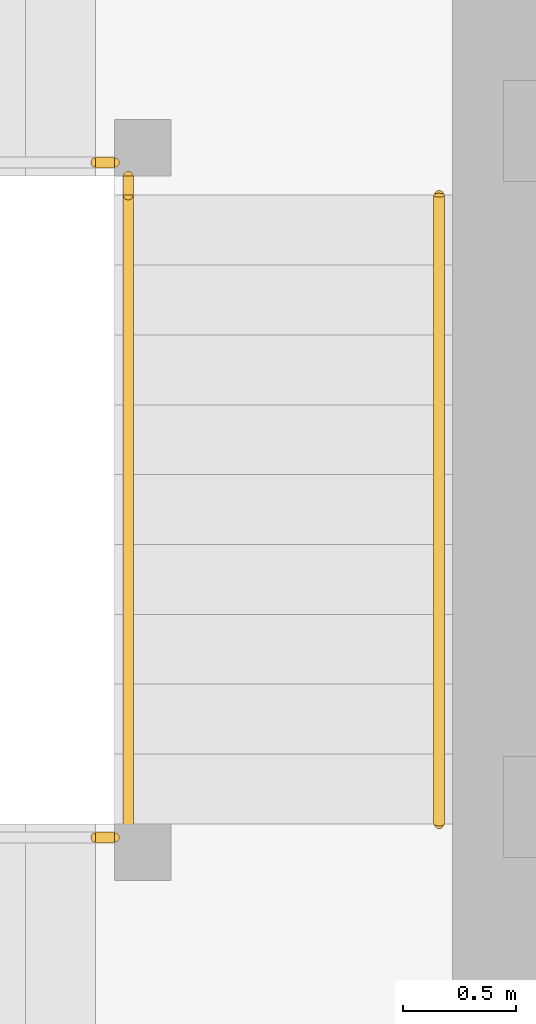
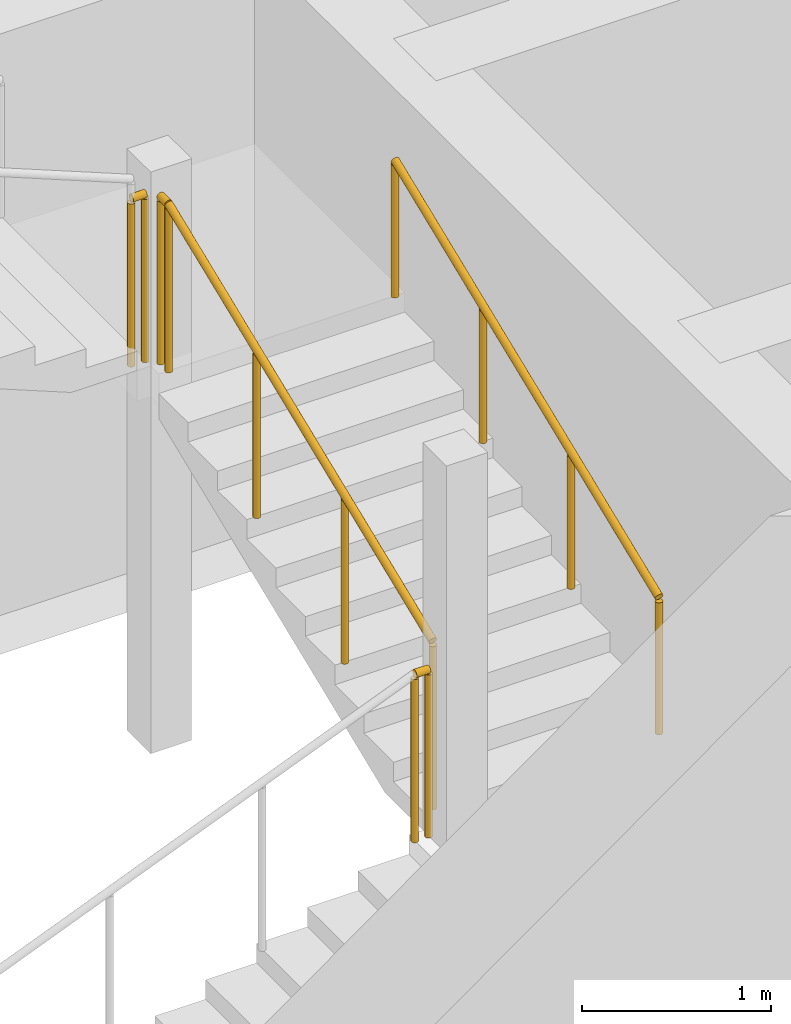
# One storey, part 36 of 40: 5 railings.
"""IFC4 building model written with IfcOpenShell, lengths in metres."""

from ifc_helpers import new_model, si_unit, direction, frame, origin, origin_2d, place, context, subcontext, project, spatial, circle, extrude, material, type_object, element, save


model = new_model("IFC4")

# Units and contexts
model_context = context("Model", 3, precision=1e-05, world=origin(), true_north=direction((0.0, 1.0)))
body_context = subcontext(model_context, "Body", "Model", "MODEL_VIEW")
ifc_project = project(units=[si_unit("LENGTHUNIT", "METRE"), si_unit("AREAUNIT", "SQUARE_METRE"), si_unit("VOLUMEUNIT", "CUBIC_METRE"), si_unit("PLANEANGLEUNIT", "RADIAN"), si_unit("MASSUNIT", "GRAM", prefix="KILO")], contexts=[model_context])

# Site, building, storey
site_placement = place(None, origin())
site = spatial("IfcSite", under=ifc_project, at=site_placement, CompositionType="ELEMENT")
building_placement = place(site_placement, origin())
building = spatial("IfcBuilding", under=site, at=building_placement, Name="Rekha Terrace Tower", CompositionType="ELEMENT")
storey_placement = place(building_placement, frame((0.0, 0.0, 106.550048828125)))
storey = spatial("IfcBuildingStorey", under=building, at=storey_placement, Name="L26", CompositionType="ELEMENT", Elevation=106.550048828125)

# Railings
ifc_material_1 = material(Name="Stainless steel balustrade", Category="steel")
railing_type_1 = type_object("IfcRailingType", Name="GR1 1100 stair guard", PredefinedType="GUARDRAIL", material=ifc_material_1)
railing_1_placement = place(storey_placement, frame((30.135009765625, 41.324951171875, 1.375)))
element("IfcRailing", 1, at=railing_1_placement, inside=storey, type_object=railing_type_1, Name="Guard ST4 L26 flight 2", PredefinedType="GUARDRAIL", context=body_context, shape_type="SweptSolid", body=[
    extrude(circle(Radius=0.02392578125, at=origin_2d()), frame((0.0, 0.0, 1.076171875), z_axis=(0.0, 0.927443287984, 0.373963831907), x_axis=(-1.0, 0.0, 0.0)), (0.0, 0.0, 1.0), 3.00830078125),
    extrude(circle(Radius=0.02099609375, at=origin_2d()), origin(), (0.0, 0.0, 1.0), 1.052001953125),
    extrude(circle(Radius=0.02099609375, at=origin_2d()), frame((0.0, 0.929931640625, 0.375)), (0.0, 0.0, 1.0), 1.052001953125),
    extrude(circle(Radius=0.02099609375, at=origin_2d()), frame((0.0, 1.860107421875, 0.75)), (0.0, 0.0, 1.0), 1.052001953125),
    extrude(circle(Radius=0.02099609375, at=origin_2d()), frame((0.0, 2.7900390625, 1.125)), (0.0, 0.0, 1.0), 1.052001953125),
])
railing_2_placement = place(storey_placement, frame((29.989990234375, 41.264892578125, 1.25)))
element("IfcRailing", 2, at=railing_2_placement, inside=storey, type_object=railing_type_1, Name="Guard ST4 L26 landing 1", PredefinedType="GUARDRAIL", context=body_context, shape_type="SweptSolid", body=[
    extrude(circle(Radius=0.02392578125, at=origin_2d()), frame((0.0, 0.0, 1.076171875), z_axis=(1.0, 0.0, 0.0), x_axis=(0.0, 1.0, 0.0)), (0.0, 0.0, 1.0), 0.0849609375),
    extrude(circle(Radius=0.02099609375, at=origin_2d()), origin(), (0.0, 0.0, 1.0), 1.052001953125),
    extrude(circle(Radius=0.02099609375, at=origin_2d()), frame((0.0849609375, 0.0, 0.0)), (0.0, 0.0, 1.0), 1.052001953125),
])
railing_3_placement = place(storey_placement, frame((30.135009765625, 44.114990234375, 2.5)))
element("IfcRailing", 3, at=railing_3_placement, inside=storey, type_object=railing_type_1, Name="Guard ST4 L26 landing 2", PredefinedType="GUARDRAIL", context=body_context, shape_type="SweptSolid", body=[
    extrude(circle(Radius=0.02392578125, at=origin_2d()), frame((0.0, 0.0, 1.076171875), z_axis=(0.0, 1.0, 0.0), x_axis=(-1.0, 0.0, 0.0)), (0.0, 0.0, 1.0), 0.0849609375),
    extrude(circle(Radius=0.02099609375, at=origin_2d()), origin(), (0.0, 0.0, 1.0), 1.052001953125),
    extrude(circle(Radius=0.02099609375, at=origin_2d()), frame((0.0, 0.0849609375, 0.0)), (0.0, 0.0, 1.0), 1.052001953125),
])
railing_4_placement = place(storey_placement, frame((29.989990234375, 44.260009765625, 2.5)))
element("IfcRailing", 4, at=railing_4_placement, inside=storey, type_object=railing_type_1, Name="Guard ST4 L26 landing 3", PredefinedType="GUARDRAIL", context=body_context, shape_type="SweptSolid", body=[
    extrude(circle(Radius=0.02392578125, at=origin_2d()), frame((0.0, 0.0, 1.076171875), z_axis=(1.0, 0.0, 0.0), x_axis=(0.0, 1.0, 0.0)), (0.0, 0.0, 1.0), 0.0849609375),
    extrude(circle(Radius=0.02099609375, at=origin_2d()), origin(), (0.0, 0.0, 1.0), 1.052001953125),
    extrude(circle(Radius=0.02099609375, at=origin_2d()), frame((0.0849609375, 0.0, 0.0)), (0.0, 0.0, 1.0), 1.052001953125),
])
ifc_material_2 = material(Name="Stainless steel tube", Category="steel")
railing_type_2 = type_object("IfcRailingType", Name="HR1 900 stair handrail", PredefinedType="HANDRAIL", material=ifc_material_2)
railing_5_placement = place(storey_placement, frame((31.514892578125, 41.324951171875, 1.375)))
element("IfcRailing", 5, at=railing_5_placement, inside=storey, type_object=railing_type_2, Name="Handrail ST4 L26 flight 2", PredefinedType="HANDRAIL", context=body_context, shape_type="SweptSolid", body=[
    extrude(circle(Radius=0.02392578125, at=origin_2d()), frame((0.0, 0.0, 0.8759765625), z_axis=(0.0, 0.927443287984, 0.373963831907), x_axis=(-1.0, 0.0, 0.0)), (0.0, 0.0, 1.0), 3.00830078125),
    extrude(circle(Radius=0.02099609375, at=origin_2d()), origin(), (0.0, 0.0, 1.0), 0.851806640625),
    extrude(circle(Radius=0.02099609375, at=origin_2d()), frame((0.0, 0.929931640625, 0.375)), (0.0, 0.0, 1.0), 0.851806640625),
    extrude(circle(Radius=0.02099609375, at=origin_2d()), frame((0.0, 1.860107421875, 0.75)), (0.0, 0.0, 1.0), 0.851806640625),
    extrude(circle(Radius=0.02099609375, at=origin_2d()), frame((0.0, 2.7900390625, 1.125)), (0.0, 0.0, 1.0), 0.851806640625),
])

save(model, "model.ifc")
